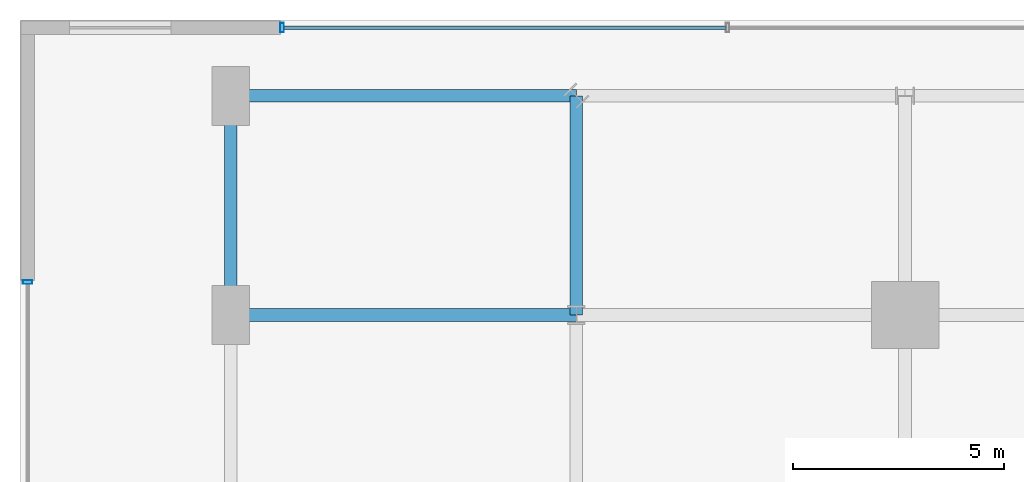
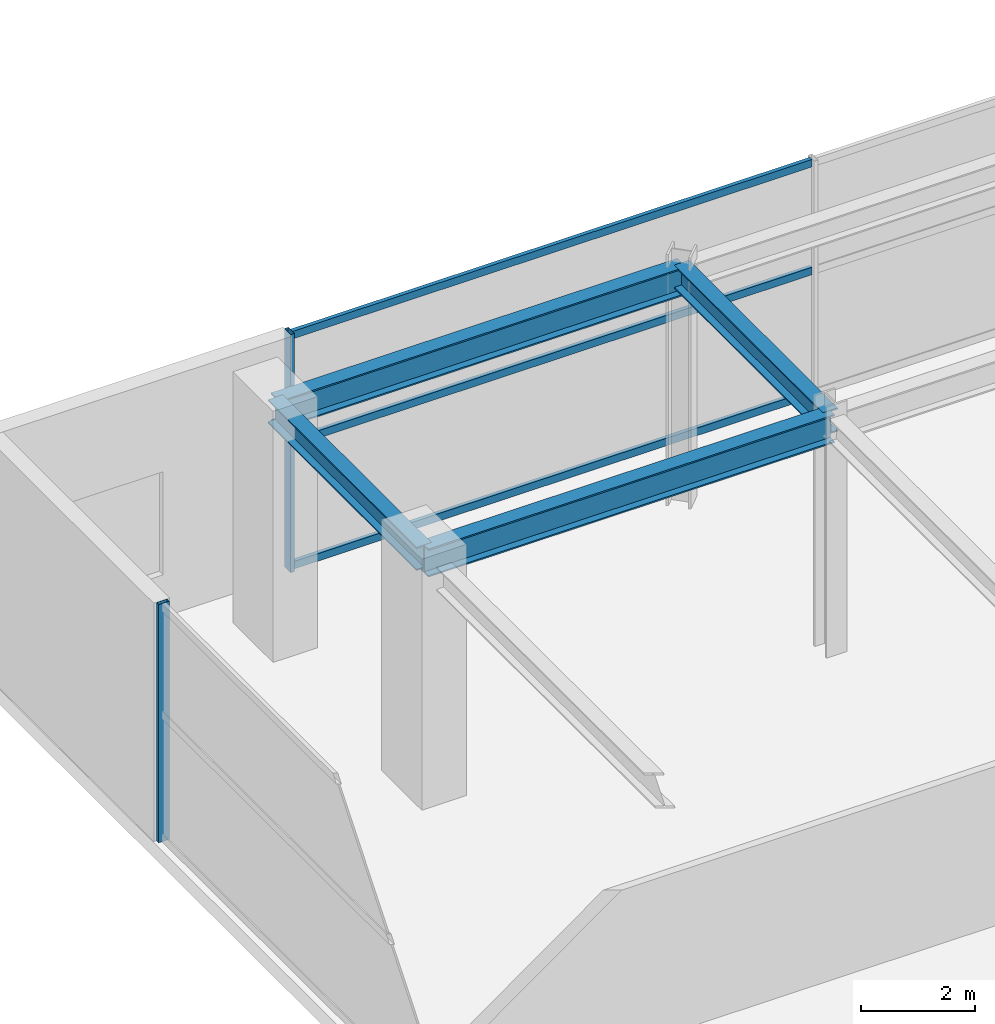
# One storey, part 14 of 32: 5 members, 4 beams, 2 elements without a shape of their own.
"""IFC4 building model written with IfcOpenShell, lengths in metres."""

import ifcopenshell
import ifcopenshell.guid

model = None  # the IFC model being written
_history = None  # IfcOwnerHistory: only IFC2X3 demands one
_inside = {}  # id of a spatial element -> (the spatial element, [elements in it])
_under = {}  # id of a project, library or spatial element -> (it, [spatial elements below it])
_declared = {}  # id of a project -> (the project, [libraries it declares])
_typed = {}  # id of a type object -> (the type object, [elements of that type])
_made_of = {}  # id of a material, layer set ... -> (it, [elements and type objects made of it])


def new_model(schema):
    """Start an empty IFC model of exactly this schema.

    Asked for "IFC4X3", IfcOpenShell would pick the latest addendum, in which some entities
    have other attributes; the version numbers below select the first issue.
    IFC2X3 requires an IfcOwnerHistory on every rooted entity: one is made here for all.
    """
    global model, _history
    if schema == "IFC4X3":
        model = ifcopenshell.file(schema_version=(4, 3, 0, 0))
    else:
        model = ifcopenshell.file(schema=schema)
    _inside.clear()
    _under.clear()
    _declared.clear()
    _typed.clear()
    _made_of.clear()
    _history = None
    if model.schema == "IFC2X3":
        org = make("IfcOrganization", Name="unknown")
        user = make(
            "IfcPersonAndOrganization",
            ThePerson=make("IfcPerson", FamilyName="unknown"),
            TheOrganization=org,
        )
        app = make(
            "IfcApplication",
            ApplicationDeveloper=org,
            Version="unknown",
            ApplicationFullName="unknown",
            ApplicationIdentifier="unknown",
        )
        _history = make(
            "IfcOwnerHistory",
            OwningUser=user,
            OwningApplication=app,
            ChangeAction="ADDED",
            CreationDate=0,
        )
    return model


def make(cls, **values):
    """One entity of the class cls with the attributes given. An attribute that is None is left unset."""
    return model.create_entity(
        cls, **{name: value for name, value in values.items() if value is not None}
    )


def rooted(cls, **values):
    """An entity with a GlobalId (a new one), such as an element, a storey or a relation."""
    return make(cls, GlobalId=ifcopenshell.guid.new(), OwnerHistory=_history, **values)


def si_unit(unit_type, name, prefix=None):
    """IfcSIUnit, for example si_unit("LENGTHUNIT", "METRE", prefix="MILLI")."""
    return make("IfcSIUnit", UnitType=unit_type, Prefix=prefix, Name=name)


def assignment(units):
    """IfcUnitAssignment: the units of a project."""
    return None if units is None else make("IfcUnitAssignment", Units=units)


def point(xyz):
    """IfcCartesianPoint."""
    return None if xyz is None else make("IfcCartesianPoint", Coordinates=xyz)


def direction(xyz):
    """IfcDirection."""
    return None if xyz is None else make("IfcDirection", DirectionRatios=xyz)


def frame(location, z_axis=None, x_axis=None):
    """IfcAxis2Placement3D, a coordinate frame: its origin and axes. An axis left out is left unset."""
    return make(
        "IfcAxis2Placement3D",
        Location=point(location),
        Axis=direction(z_axis),
        RefDirection=direction(x_axis),
    )


def frame_2d(location, x_axis=None):
    """IfcAxis2Placement2D, a coordinate frame in the plane: its origin and x axis."""
    return make(
        "IfcAxis2Placement2D", Location=point(location), RefDirection=direction(x_axis)
    )


def origin():
    """The frame at (0, 0, 0) with its axes left unset."""
    return frame((0.0, 0.0, 0.0))


def origin_2d():
    """The frame at (0, 0) in the plane with its x axis left unset."""
    return frame_2d((0.0, 0.0))


def place(relative_to, where):
    """IfcLocalPlacement: puts the frame where relative to a parent placement (None: the world)."""
    return make(
        "IfcLocalPlacement", PlacementRelTo=relative_to, RelativePlacement=where
    )


def context(
    kind, dimensions, precision=None, world=None, true_north=None, identifier=None
):
    """IfcGeometricRepresentationContext, for example the 3D "Model" context."""
    return make(
        "IfcGeometricRepresentationContext",
        ContextIdentifier=identifier,
        ContextType=kind,
        CoordinateSpaceDimension=dimensions,
        Precision=precision,
        WorldCoordinateSystem=world,
        TrueNorth=true_north,
    )


def subcontext(parent, identifier, kind, view, scale=None):
    """IfcGeometricRepresentationSubContext, for example "Body" below "Model"."""
    return make(
        "IfcGeometricRepresentationSubContext",
        ContextIdentifier=identifier,
        ContextType=kind,
        ParentContext=parent,
        TargetScale=scale,
        TargetView=view,
    )


def project(units=None, contexts=None):
    """IfcProject with its units and contexts."""
    return rooted(
        "IfcProject",
        Name="project",
        RepresentationContexts=contexts,
        UnitsInContext=assignment(units),
    )


def spatial(cls, under=None, at=None, **own):
    """A site, building, storey or space (cls), placed at a placement, below another one or the project."""
    s = rooted(cls, ObjectPlacement=at, **own)
    if under is not None:
        _under.setdefault(under.id(), (under, []))[1].append(s)
    return s


def profile(cls, at=None, kind="AREA", **sizes):
    """A parametric profile (cls). Its sizes go by their IFC names, for example OverallWidth=200.0."""
    return make(cls, ProfileType=kind, Position=at, **sizes)


def hollow_rectangle(**sizes):
    """IfcRectangleHollowProfileDef."""
    return profile("IfcRectangleHollowProfileDef", **sizes)


def i_section(**sizes):
    """IfcIShapeProfileDef."""
    return profile("IfcIShapeProfileDef", **sizes)


def extrude(swept, where, along, depth):
    """IfcExtrudedAreaSolid: the profile swept, set in the frame where, extruded along a direction by depth."""
    return make(
        "IfcExtrudedAreaSolid",
        SweptArea=swept,
        Position=where,
        ExtrudedDirection=direction(along),
        Depth=depth,
    )


def shape(context_of_items, identifier, shape_type, items):
    """IfcShapeRepresentation: the items that make up one representation, for example the "Body"."""
    return make(
        "IfcShapeRepresentation",
        ContextOfItems=context_of_items,
        RepresentationIdentifier=identifier,
        RepresentationType=shape_type,
        Items=items,
    )


def source(mapping_origin, context_of_items, identifier, shape_type, items):
    """IfcRepresentationMap: a shape defined once, which mapped items show again and again."""
    return make(
        "IfcRepresentationMap",
        MappingOrigin=mapping_origin,
        MappedRepresentation=shape(context_of_items, identifier, shape_type, items),
    )


def transform(
    local_origin,
    x_axis=None,
    y_axis=None,
    z_axis=None,
    scale=None,
    scale2=None,
    scale3=None,
    uniform=True,
):
    """IfcCartesianTransformationOperator3D, or its non-uniform kind. x_axis, y_axis, z_axis: its Axis1, 2, 3."""
    if uniform:
        return make(
            "IfcCartesianTransformationOperator3D",
            Axis1=direction(x_axis),
            Axis2=direction(y_axis),
            LocalOrigin=point(local_origin),
            Scale=scale,
            Axis3=direction(z_axis),
        )
    return make(
        "IfcCartesianTransformationOperator3DnonUniform",
        Axis1=direction(x_axis),
        Axis2=direction(y_axis),
        LocalOrigin=point(local_origin),
        Scale=scale,
        Axis3=direction(z_axis),
        Scale2=scale2,
        Scale3=scale3,
    )


def mapped(mapping_source, mapping_target):
    """IfcMappedItem: shows the shape of a source again, moved by a transform."""
    return make(
        "IfcMappedItem", MappingSource=mapping_source, MappingTarget=mapping_target
    )


def material(Name=None, Category=None):
    """IfcMaterial."""
    return make("IfcMaterial", Name=Name, Category=Category)


def material_profile(
    of_material, cross_section, Name=None, Category=None, Priority=None
):
    """IfcMaterialProfile: a cross section and its material."""
    return make(
        "IfcMaterialProfile",
        Name=Name,
        Material=of_material,
        Profile=cross_section,
        Priority=Priority,
        Category=Category,
    )


def profile_set(profiles, Name=None, composite=None):
    """IfcMaterialProfileSet."""
    return make(
        "IfcMaterialProfileSet",
        Name=Name,
        MaterialProfiles=profiles,
        CompositeProfile=composite,
    )


def made_of(thing, what):
    """Note that an element or type object is made of a material, layer set ...; save() writes the relation."""
    if what is not None:
        _made_of.setdefault(what.id(), (what, []))[1].append(thing)
    return thing


def type_object(cls, material=None, **own):
    """A type object (cls), such as IfcWallType, which elements share."""
    return made_of(rooted(cls, **own), material)


def element(
    cls,
    number,
    at=None,
    inside=None,
    cuts=None,
    type_object=None,
    material=None,
    context=None,
    identifier="Body",
    shape_type=None,
    held_by="IfcProductDefinitionShape",
    body=None,
    shapes=None,
    **own,
):
    """One element of the class cls, such as IfcWall. Its Tag is "e" and its number.

    at: its placement. inside: the storey or other place that contains it. cuts: it is an
    opening in that element (IfcRelVoidsElement). A single representation is given by context,
    identifier, shape_type and body (its items); several are given by shapes. held_by: the class
    of the entity that holds the representations. save() writes the other relations.
    """
    e = rooted(cls, Tag="e%d" % number, ObjectPlacement=at, **own)
    if body is not None:
        shapes = [shape(context, identifier, shape_type, body)]
    if shapes is not None:
        e.Representation = make(held_by, Representations=shapes)
    if inside is not None:
        _inside.setdefault(inside.id(), (inside, []))[1].append(e)
    if cuts is not None:
        rooted(
            "IfcRelVoidsElement", RelatingBuildingElement=cuts, RelatedOpeningElement=e
        )
    if type_object is not None:
        _typed.setdefault(type_object.id(), (type_object, []))[1].append(e)
    return made_of(e, material)


def aggregate(whole, parts):
    """IfcRelAggregates: a whole, such as a stair, and the parts it consists of."""
    return rooted("IfcRelAggregates", RelatingObject=whole, RelatedObjects=parts)


def save(model, path):
    """Write the relations noted so far, then the file.

    IfcRelAggregates (storeys below a building ...), IfcRelContainedInSpatialStructure (elements
    in a storey), IfcRelDefinesByType, IfcRelAssociatesMaterial and IfcRelDeclares: one each for
    every whole, place, type object, material and project.
    """
    for whole, parts in _under.values():
        aggregate(whole, parts)
    for where, things in _inside.values():
        rooted(
            "IfcRelContainedInSpatialStructure",
            RelatedElements=things,
            RelatingStructure=where,
        )
    for kind, things in _typed.values():
        rooted("IfcRelDefinesByType", RelatedObjects=things, RelatingType=kind)
    for what, things in _made_of.values():
        rooted("IfcRelAssociatesMaterial", RelatedObjects=things, RelatingMaterial=what)
    for by, libraries in _declared.values():
        rooted("IfcRelDeclares", RelatingContext=by, RelatedDefinitions=libraries)
    model.write(path)


model = new_model("IFC4")

# Units and contexts
model_context = context("Model", 3, precision=1e-05, world=origin(), true_north=direction((0.0, 1.0)))
body_context = subcontext(model_context, "Body", "Model", "MODEL_VIEW")
ifc_project = project(units=[si_unit("LENGTHUNIT", "METRE"), si_unit("AREAUNIT", "SQUARE_METRE"), si_unit("VOLUMEUNIT", "CUBIC_METRE"), si_unit("PLANEANGLEUNIT", "RADIAN"), si_unit("MASSUNIT", "GRAM", prefix="KILO")], contexts=[model_context])

# Site, building, storey
site_placement = place(None, origin())
site = spatial("IfcSite", under=ifc_project, at=site_placement, CompositionType="ELEMENT")
building_placement = place(site_placement, origin())
building = spatial("IfcBuilding", under=site, at=building_placement, Name="Nahalor Promenade Grand Hotel", CompositionType="ELEMENT")
storey_placement = place(building_placement, frame((0.0, 0.0, 5.39990234375)))
storey = spatial("IfcBuildingStorey", under=building, at=storey_placement, Name="L01", CompositionType="ELEMENT", Elevation=5.39990234375)

# Beams
ifc_material_1 = material(Name="Steel S355JR", Category="steel")
ifc_material_profile_1 = material_profile(ifc_material_1, i_section(OverallWidth=0.3, OverallDepth=0.6, WebThickness=0.0155, FlangeThickness=0.03, at=origin_2d()), Name="HEB 600")
ifc_profile_set_1 = profile_set([ifc_material_profile_1], Name="Steel S355JR")
beam_type_1 = type_object("IfcBeamType", Name="Beam-Girder-HEB600", PredefinedType="BEAM", material=ifc_profile_set_1)
shared_shape_1 = source(origin(), body_context, "Body", "SweptSolid", [
    extrude(i_section(OverallWidth=0.3, OverallDepth=0.6, WebThickness=0.0155, FlangeThickness=0.03, at=origin_2d()), origin(), (0.0, 0.0, 1.0), 8.199951171875),
])
for number, where, z_axis, x_axis, name in (
    (1, (-33.0, 17.0, 4.780029296875), (1.0, 0.0, 0.0), (0.0, 1.0, 0.0), "BM-L01-GX-3-0"),
    (2, (-24.800048828125, 22.199951171875, 4.780029296875), (-1.0, 0.0, 0.0), (0.0, -1.0, 0.0), "BM-L01-TIE-PW-+22"),
):
    element("IfcBeam", number, at=place(storey_placement, frame(where, z_axis=z_axis, x_axis=x_axis)), inside=storey, type_object=beam_type_1, Name=name, PredefinedType="BEAM", context=body_context, shape_type="MappedRepresentation", body=[
        mapped(shared_shape_1, transform((0.0, 0.0, 0.0), scale=1.0)),
    ])
ifc_material_profile_2 = material_profile(ifc_material_1, i_section(OverallWidth=0.3, OverallDepth=0.5, WebThickness=0.0145, FlangeThickness=0.028, at=origin_2d()), Name="HEB 500")
ifc_profile_set_2 = profile_set([ifc_material_profile_2], Name="Steel S355JR")
beam_type_2 = type_object("IfcBeamType", Name="Beam-Spandrel-HEB500", PredefinedType="SPANDREL", material=ifc_profile_set_2)
shared_shape_2 = source(origin(), body_context, "Body", "SweptSolid", [
    extrude(i_section(OverallWidth=0.3, OverallDepth=0.5, WebThickness=0.0145, FlangeThickness=0.028, at=origin_2d()), origin(), (0.0, 0.0, 1.0), 5.199951171875),
])
for number, where, z_axis, x_axis, name in (
    (3, (-24.800048828125, 22.199951171875, 4.830078125), (0.0, -1.0, 0.0), (1.0, 0.0, 0.0), "BM-L01-SPC-NW-2"),
    (4, (-33.0, 17.0, 4.830078125), (0.0, 1.0, 0.0), (-1.0, 0.0, 0.0), "BM-L01-PW-3"),
):
    element("IfcBeam", number, at=place(storey_placement, frame(where, z_axis=z_axis, x_axis=x_axis)), inside=storey, type_object=beam_type_2, Name=name, PredefinedType="SPANDREL", context=body_context, shape_type="MappedRepresentation", body=[
        mapped(shared_shape_2, transform((0.0, 0.0, 0.0), scale=1.0)),
    ])

# Curtain wall, member
ifc_material_2 = material(Name="Anodised Bronze Aluminium EN AW-6063 T6", Category="aluminium")
curtain_wall_type = type_object("IfcCurtainWallType", Name="CW1 Waterfront Podium Bronze Arcade Curtain Wall", PredefinedType="USERDEFINED", material=ifc_material_2)
curtain_wall_1_placement = place(storey_placement, origin())
curtain_wall_1 = element("IfcCurtainWall", 5, at=curtain_wall_1_placement, inside=storey, type_object=curtain_wall_type, Name="L01 Curtain Wall CW-L01-N", ObjectType="UNITISED_CURTAIN_WALL", PredefinedType="USERDEFINED")
ifc_material_profile_3 = material_profile(ifc_material_2, hollow_rectangle(XDim=0.08, YDim=0.22, WallThickness=0.005, at=origin_2d()), Name="CWM 80x220x5")
ifc_profile_set_3 = profile_set([ifc_material_profile_3], Name="Anodised Bronze Aluminium EN AW-6063 T6")
member_type_1 = type_object("IfcMemberType", Name="CWM1 Podium Bronze Mullion 80x220", PredefinedType="MULLION", material=ifc_profile_set_3)
shared_shape_3 = source(origin(), body_context, "Body", "SweptSolid", [
    extrude(hollow_rectangle(XDim=0.08, YDim=0.22, WallThickness=0.005, at=origin_2d()), origin(), (0.0, 0.0, 1.0), 5.080078125),
])
member_1_placement = place(storey_placement, frame((-31.780029296875, 23.820068359375, 0.0), z_axis=(0.0, 0.0, 1.0), x_axis=(1.0, 0.0, 0.0)))
member_1 = element("IfcMember", 6, at=member_1_placement, type_object=member_type_1, Name="CW-L01-N Mullion 0", PredefinedType="MULLION", context=body_context, shape_type="MappedRepresentation", body=[
    mapped(shared_shape_3, transform((0.0, 0.0, 0.0), scale=1.0)),
])

curtain_wall_2_placement = place(storey_placement, origin())
curtain_wall_2 = element("IfcCurtainWall", 7, at=curtain_wall_2_placement, inside=storey, type_object=curtain_wall_type, Name="L01 Curtain Wall CW-L01-W", ObjectType="UNITISED_CURTAIN_WALL", PredefinedType="USERDEFINED")
member_2_placement = place(storey_placement, frame((-37.820068359375, 17.780029296875, 0.0), z_axis=(0.0, 0.0, 1.0), x_axis=(0.0, 1.0, 0.0)))
member_2 = element("IfcMember", 8, at=member_2_placement, type_object=member_type_1, Name="CW-L01-W Mullion 3", PredefinedType="MULLION", context=body_context, shape_type="MappedRepresentation", body=[
    mapped(shared_shape_3, transform((0.0, 0.0, 0.0), scale=1.0)),
])
aggregate(curtain_wall_2, [member_2])

# Member
ifc_material_profile_4 = material_profile(ifc_material_2, hollow_rectangle(XDim=0.08, YDim=0.16, WallThickness=0.004, at=origin_2d()), Name="CWT 80x160x4")
ifc_profile_set_4 = profile_set([ifc_material_profile_4], Name="Anodised Bronze Aluminium EN AW-6063 T6")
member_type_2 = type_object("IfcMemberType", Name="CWT1 Podium Bronze Transom 80x160", PredefinedType="USERDEFINED", material=ifc_profile_set_4)
shared_shape_4 = source(origin(), body_context, "Body", "SweptSolid", [
    extrude(hollow_rectangle(XDim=0.08, YDim=0.16, WallThickness=0.004, at=origin_2d()), origin(), (0.0, 0.0, 1.0), 10.486572265625),
])
member_3_placement = place(storey_placement, frame((-31.739990234375, 23.820068359375, 0.080078125), z_axis=(1.0, 0.0, 0.0), x_axis=(0.0, 1.0, 0.0)))
member_3 = element("IfcMember", 9, at=member_3_placement, type_object=member_type_2, Name="CW-L01-N Transom 0-0", ObjectType="TRANSOM", PredefinedType="USERDEFINED", context=body_context, shape_type="MappedRepresentation", body=[
    mapped(shared_shape_4, transform((0.0, 0.0, 0.0), scale=1.0)),
])

member_4_placement = place(storey_placement, frame((-31.739990234375, 23.820068359375, 2.7001953125), z_axis=(1.0, 0.0, 0.0), x_axis=(0.0, 1.0, 0.0)))
member_4 = element("IfcMember", 10, at=member_4_placement, type_object=member_type_2, Name="CW-L01-N Transom 0-1", ObjectType="TRANSOM", PredefinedType="USERDEFINED", context=body_context, shape_type="MappedRepresentation", body=[
    mapped(shared_shape_4, transform((0.0, 0.0, 0.0), scale=1.0)),
])

member_5_placement = place(storey_placement, frame((-31.739990234375, 23.820068359375, 5.0), z_axis=(1.0, 0.0, 0.0), x_axis=(0.0, 1.0, 0.0)))
member_5 = element("IfcMember", 11, at=member_5_placement, type_object=member_type_2, Name="CW-L01-N Transom 0-2", ObjectType="TRANSOM", PredefinedType="USERDEFINED", context=body_context, shape_type="MappedRepresentation", body=[
    mapped(shared_shape_4, transform((0.0, 0.0, 0.0), scale=1.0)),
])

aggregate(curtain_wall_1, [member_1, member_3, member_4, member_5])

save(model, "model.ifc")
